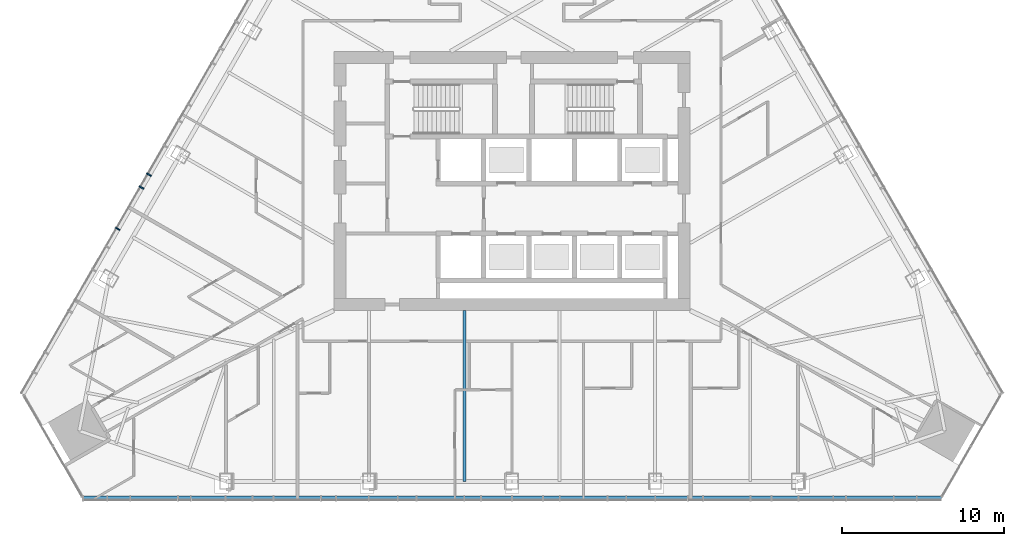
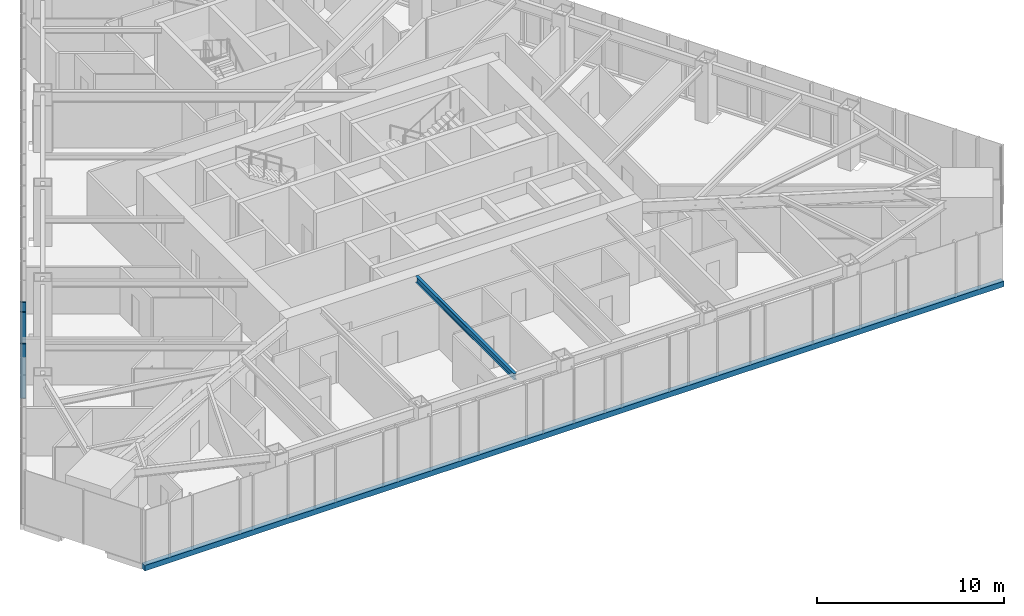
# One storey, part 3 of 19: 4 members, 1 beam, 2 elements without a shape of their own.
"""IFC4 building model written with IfcOpenShell, lengths in metres."""

from ifc_helpers import new_model, si_unit, direction, frame, origin, origin_2d, place, context, subcontext, project, spatial, rectangle, i_section, extrude, material, layer, layer_set, material_profile, profile_set, type_object, element, aggregate, save


model = new_model("IFC4")

# Units and contexts
model_context = context("Model", 3, precision=1e-05, world=origin(), true_north=direction((0.0, 1.0)))
body_context = subcontext(model_context, "Body", "Model", "MODEL_VIEW")
ifc_project = project(units=[si_unit("LENGTHUNIT", "METRE"), si_unit("AREAUNIT", "SQUARE_METRE"), si_unit("VOLUMEUNIT", "CUBIC_METRE"), si_unit("PLANEANGLEUNIT", "RADIAN"), si_unit("MASSUNIT", "GRAM", prefix="KILO")], contexts=[model_context])

# Site, building, storey
site_placement = place(None, origin())
site = spatial("IfcSite", under=ifc_project, at=site_placement, CompositionType="ELEMENT")
building_placement = place(site_placement, origin())
building = spatial("IfcBuilding", under=site, at=building_placement, Name="Firuza Gate Tower and Library", CompositionType="ELEMENT")
storey_placement = place(building_placement, frame((0.0, 0.0, 179.199951171875)))
storey = spatial("IfcBuildingStorey", under=building, at=storey_placement, Name="L41", CompositionType="ELEMENT", Elevation=179.199951171875)

# Curtain wall, members
ifc_material_1 = material(Name="Aluminium 6063-T6", Category="aluminium")
ifc_layer = layer(ifc_material_1, 0.14990234375)
ifc_layer_set = layer_set([ifc_layer], Name="Unitised curtain wall, hotel")
curtain_wall_type = type_object("IfcCurtainWallType", Name="Unitised curtain wall, hotel", PredefinedType="NOTDEFINED", material=ifc_layer_set)
placement = place(storey_placement, origin())
curtain_wall_1 = element("IfcCurtainWall", 1, at=placement, inside=storey, type_object=curtain_wall_type, Name="CW2 L41 W face", PredefinedType="NOTDEFINED")
ifc_material_2 = material(Name="Aluminium 6063-T6", Category="aluminium")
ifc_material_profile_1 = material_profile(ifc_material_2, rectangle(XDim=0.320068359375, YDim=0.080078125, at=origin_2d()))
ifc_profile_set_1 = profile_set([ifc_material_profile_1], Name="Aluminium 6063-T6")
member_type_1 = type_object("IfcMemberType", Name="Curtain wall mullion 80x320", PredefinedType="MULLION", material=ifc_profile_set_1)
member_1_placement = place(storey_placement, frame((52.133544921875, 74.594482421875, 0.150146484375), z_axis=(0.0, 0.0, 1.0), x_axis=(0.866025403784, -0.5, 0.0)))
member_1 = element("IfcMember", 2, at=member_1_placement, type_object=member_type_1, Name="Mullion", PredefinedType="MULLION", context=body_context, shape_type="SweptSolid", body=[
    extrude(rectangle(XDim=0.320068359375, YDim=0.080078125, at=origin_2d()), origin(), (0.0, 0.0, 1.0), 3.5498046875),
])
member_2_placement = place(storey_placement, frame((50.660400390625, 72.043212890625, 0.150146484375), z_axis=(0.0, 0.0, 1.0), x_axis=(0.866025403784, -0.5, 0.0)))
member_2 = element("IfcMember", 3, at=member_2_placement, type_object=member_type_1, Name="Mullion", PredefinedType="MULLION", context=body_context, shape_type="SweptSolid", body=[
    extrude(rectangle(XDim=0.320068359375, YDim=0.080078125, at=origin_2d()), origin(), (0.0, 0.0, 1.0), 3.5498046875),
])
member_3_placement = place(storey_placement, frame((52.59130859375, 75.3876953125, 0.150146484375), z_axis=(0.0, 0.0, 1.0), x_axis=(0.866025403784, -0.5, 0.0)))
member_3 = element("IfcMember", 4, at=member_3_placement, type_object=member_type_1, Name="Mullion", PredefinedType="MULLION", context=body_context, shape_type="SweptSolid", body=[
    extrude(rectangle(XDim=0.320068359375, YDim=0.080078125, at=origin_2d()), origin(), (0.0, 0.0, 1.0), 3.5498046875),
])
aggregate(curtain_wall_1, [member_1, member_2, member_3])

# Curtain wall, member
curtain_wall_2 = element("IfcCurtainWall", 5, at=placement, inside=storey, type_object=curtain_wall_type, Name="CW2 L41 S face", PredefinedType="NOTDEFINED")
ifc_material_3 = material(Name="Aluminium 6063-T6", Category="aluminium")
ifc_material_profile_2 = material_profile(ifc_material_3, rectangle(XDim=0.320068359375, YDim=0.35009765625, at=origin_2d()))
ifc_profile_set_2 = profile_set([ifc_material_profile_2], Name="Aluminium 6063-T6")
member_type_2 = type_object("IfcMemberType", Name="Curtain wall transom 350x320", PredefinedType="USERDEFINED", material=ifc_profile_set_2)
member_4_placement = place(storey_placement, frame((48.485107421875, 55.399658203125, -0.02490234375), z_axis=(1.0, 0.0, 0.0), x_axis=(0.0, 1.0, 0.0)))
member_4 = element("IfcMember", 6, at=member_4_placement, type_object=member_type_2, Name="Transom", ObjectType="TRANSOM", PredefinedType="USERDEFINED", context=body_context, shape_type="SweptSolid", body=[
    extrude(rectangle(XDim=0.320068359375, YDim=0.35009765625, at=origin_2d()), origin(), (0.0, 0.0, 1.0), 53.02978515625),
])
aggregate(curtain_wall_2, [member_4])

# Beam
ifc_material_4 = material(Name="Steel S355", Category="steel")
ifc_material_profile_3 = material_profile(ifc_material_4, i_section(OverallWidth=0.177978515625, OverallDepth=0.406982421875, WebThickness=0.0078125, FlangeThickness=0.0126953125, at=origin_2d()))
ifc_profile_set_3 = profile_set([ifc_material_profile_3], Name="Steel S355")
beam_type = type_object("IfcBeamType", Name="W410x60 Floor beam", PredefinedType="JOIST", material=ifc_profile_set_3)
beam_placement = place(storey_placement, frame((72.05859375, 56.459716796875, 3.49658203125), z_axis=(0.0, 1.0, 0.0), x_axis=(-1.0, 0.0, 0.0)))
element("IfcBeam", 7, at=beam_placement, inside=storey, type_object=beam_type, Name="Floor beam L41 s22", PredefinedType="JOIST", context=body_context, shape_type="SweptSolid", body=[
    extrude(i_section(OverallWidth=0.177978515625, OverallDepth=0.406982421875, WebThickness=0.0078125, FlangeThickness=0.0126953125, at=origin_2d()), origin(), (0.0, 0.0, 1.0), 10.540283203125),
])

save(model, "model.ifc")
